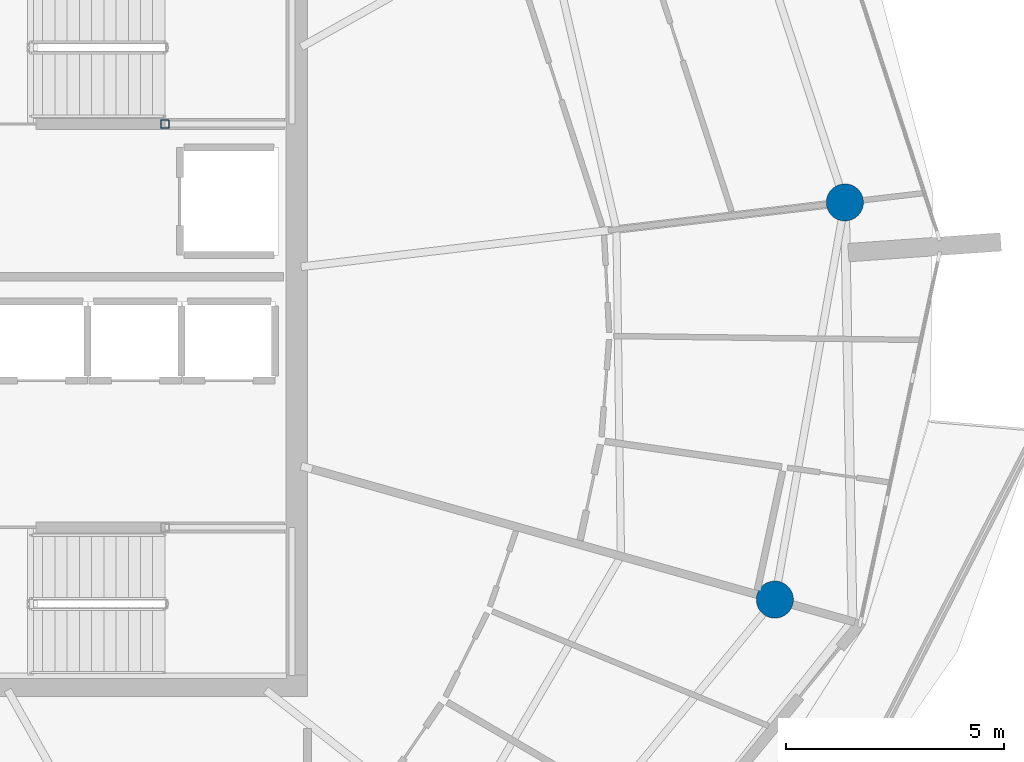
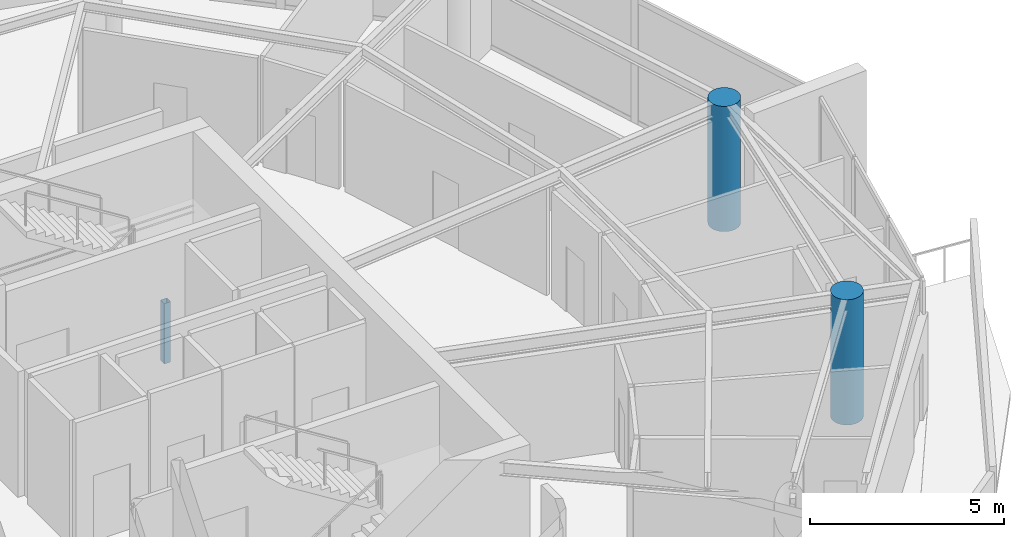
# One storey, part 3 of 22: 3 columns.
"""IFC4 building model written with IfcOpenShell, lengths in metres."""

import ifcopenshell
import ifcopenshell.guid

model = None  # the IFC model being written
_history = None  # IfcOwnerHistory: only IFC2X3 demands one
_inside = {}  # id of a spatial element -> (the spatial element, [elements in it])
_under = {}  # id of a project, library or spatial element -> (it, [spatial elements below it])
_declared = {}  # id of a project -> (the project, [libraries it declares])
_typed = {}  # id of a type object -> (the type object, [elements of that type])
_made_of = {}  # id of a material, layer set ... -> (it, [elements and type objects made of it])


def new_model(schema):
    """Start an empty IFC model of exactly this schema.

    Asked for "IFC4X3", IfcOpenShell would pick the latest addendum, in which some entities
    have other attributes; the version numbers below select the first issue.
    IFC2X3 requires an IfcOwnerHistory on every rooted entity: one is made here for all.
    """
    global model, _history
    if schema == "IFC4X3":
        model = ifcopenshell.file(schema_version=(4, 3, 0, 0))
    else:
        model = ifcopenshell.file(schema=schema)
    _inside.clear()
    _under.clear()
    _declared.clear()
    _typed.clear()
    _made_of.clear()
    _history = None
    if model.schema == "IFC2X3":
        org = make("IfcOrganization", Name="unknown")
        user = make(
            "IfcPersonAndOrganization",
            ThePerson=make("IfcPerson", FamilyName="unknown"),
            TheOrganization=org,
        )
        app = make(
            "IfcApplication",
            ApplicationDeveloper=org,
            Version="unknown",
            ApplicationFullName="unknown",
            ApplicationIdentifier="unknown",
        )
        _history = make(
            "IfcOwnerHistory",
            OwningUser=user,
            OwningApplication=app,
            ChangeAction="ADDED",
            CreationDate=0,
        )
    return model


def make(cls, **values):
    """One entity of the class cls with the attributes given. An attribute that is None is left unset."""
    return model.create_entity(
        cls, **{name: value for name, value in values.items() if value is not None}
    )


def rooted(cls, **values):
    """An entity with a GlobalId (a new one), such as an element, a storey or a relation."""
    return make(cls, GlobalId=ifcopenshell.guid.new(), OwnerHistory=_history, **values)


def si_unit(unit_type, name, prefix=None):
    """IfcSIUnit, for example si_unit("LENGTHUNIT", "METRE", prefix="MILLI")."""
    return make("IfcSIUnit", UnitType=unit_type, Prefix=prefix, Name=name)


def assignment(units):
    """IfcUnitAssignment: the units of a project."""
    return None if units is None else make("IfcUnitAssignment", Units=units)


def point(xyz):
    """IfcCartesianPoint."""
    return None if xyz is None else make("IfcCartesianPoint", Coordinates=xyz)


def direction(xyz):
    """IfcDirection."""
    return None if xyz is None else make("IfcDirection", DirectionRatios=xyz)


def frame(location, z_axis=None, x_axis=None):
    """IfcAxis2Placement3D, a coordinate frame: its origin and axes. An axis left out is left unset."""
    return make(
        "IfcAxis2Placement3D",
        Location=point(location),
        Axis=direction(z_axis),
        RefDirection=direction(x_axis),
    )


def frame_2d(location, x_axis=None):
    """IfcAxis2Placement2D, a coordinate frame in the plane: its origin and x axis."""
    return make(
        "IfcAxis2Placement2D", Location=point(location), RefDirection=direction(x_axis)
    )


def origin():
    """The frame at (0, 0, 0) with its axes left unset."""
    return frame((0.0, 0.0, 0.0))


def origin_2d():
    """The frame at (0, 0) in the plane with its x axis left unset."""
    return frame_2d((0.0, 0.0))


def place(relative_to, where):
    """IfcLocalPlacement: puts the frame where relative to a parent placement (None: the world)."""
    return make(
        "IfcLocalPlacement", PlacementRelTo=relative_to, RelativePlacement=where
    )


def context(
    kind, dimensions, precision=None, world=None, true_north=None, identifier=None
):
    """IfcGeometricRepresentationContext, for example the 3D "Model" context."""
    return make(
        "IfcGeometricRepresentationContext",
        ContextIdentifier=identifier,
        ContextType=kind,
        CoordinateSpaceDimension=dimensions,
        Precision=precision,
        WorldCoordinateSystem=world,
        TrueNorth=true_north,
    )


def subcontext(parent, identifier, kind, view, scale=None):
    """IfcGeometricRepresentationSubContext, for example "Body" below "Model"."""
    return make(
        "IfcGeometricRepresentationSubContext",
        ContextIdentifier=identifier,
        ContextType=kind,
        ParentContext=parent,
        TargetScale=scale,
        TargetView=view,
    )


def project(units=None, contexts=None):
    """IfcProject with its units and contexts."""
    return rooted(
        "IfcProject",
        Name="project",
        RepresentationContexts=contexts,
        UnitsInContext=assignment(units),
    )


def spatial(cls, under=None, at=None, **own):
    """A site, building, storey or space (cls), placed at a placement, below another one or the project."""
    s = rooted(cls, ObjectPlacement=at, **own)
    if under is not None:
        _under.setdefault(under.id(), (under, []))[1].append(s)
    return s


def profile(cls, at=None, kind="AREA", **sizes):
    """A parametric profile (cls). Its sizes go by their IFC names, for example OverallWidth=200.0."""
    return make(cls, ProfileType=kind, Position=at, **sizes)


def hollow_rectangle(**sizes):
    """IfcRectangleHollowProfileDef."""
    return profile("IfcRectangleHollowProfileDef", **sizes)


def circle(**sizes):
    """IfcCircleProfileDef."""
    return profile("IfcCircleProfileDef", **sizes)


def extrude(swept, where, along, depth):
    """IfcExtrudedAreaSolid: the profile swept, set in the frame where, extruded along a direction by depth."""
    return make(
        "IfcExtrudedAreaSolid",
        SweptArea=swept,
        Position=where,
        ExtrudedDirection=direction(along),
        Depth=depth,
    )


def shape(context_of_items, identifier, shape_type, items):
    """IfcShapeRepresentation: the items that make up one representation, for example the "Body"."""
    return make(
        "IfcShapeRepresentation",
        ContextOfItems=context_of_items,
        RepresentationIdentifier=identifier,
        RepresentationType=shape_type,
        Items=items,
    )


def material(Name=None, Category=None):
    """IfcMaterial."""
    return make("IfcMaterial", Name=Name, Category=Category)


def material_profile(
    of_material, cross_section, Name=None, Category=None, Priority=None
):
    """IfcMaterialProfile: a cross section and its material."""
    return make(
        "IfcMaterialProfile",
        Name=Name,
        Material=of_material,
        Profile=cross_section,
        Priority=Priority,
        Category=Category,
    )


def profile_set(profiles, Name=None, composite=None):
    """IfcMaterialProfileSet."""
    return make(
        "IfcMaterialProfileSet",
        Name=Name,
        MaterialProfiles=profiles,
        CompositeProfile=composite,
    )


def made_of(thing, what):
    """Note that an element or type object is made of a material, layer set ...; save() writes the relation."""
    if what is not None:
        _made_of.setdefault(what.id(), (what, []))[1].append(thing)
    return thing


def type_object(cls, material=None, **own):
    """A type object (cls), such as IfcWallType, which elements share."""
    return made_of(rooted(cls, **own), material)


def element(
    cls,
    number,
    at=None,
    inside=None,
    cuts=None,
    type_object=None,
    material=None,
    context=None,
    identifier="Body",
    shape_type=None,
    held_by="IfcProductDefinitionShape",
    body=None,
    shapes=None,
    **own,
):
    """One element of the class cls, such as IfcWall. Its Tag is "e" and its number.

    at: its placement. inside: the storey or other place that contains it. cuts: it is an
    opening in that element (IfcRelVoidsElement). A single representation is given by context,
    identifier, shape_type and body (its items); several are given by shapes. held_by: the class
    of the entity that holds the representations. save() writes the other relations.
    """
    e = rooted(cls, Tag="e%d" % number, ObjectPlacement=at, **own)
    if body is not None:
        shapes = [shape(context, identifier, shape_type, body)]
    if shapes is not None:
        e.Representation = make(held_by, Representations=shapes)
    if inside is not None:
        _inside.setdefault(inside.id(), (inside, []))[1].append(e)
    if cuts is not None:
        rooted(
            "IfcRelVoidsElement", RelatingBuildingElement=cuts, RelatedOpeningElement=e
        )
    if type_object is not None:
        _typed.setdefault(type_object.id(), (type_object, []))[1].append(e)
    return made_of(e, material)


def aggregate(whole, parts):
    """IfcRelAggregates: a whole, such as a stair, and the parts it consists of."""
    return rooted("IfcRelAggregates", RelatingObject=whole, RelatedObjects=parts)


def save(model, path):
    """Write the relations noted so far, then the file.

    IfcRelAggregates (storeys below a building ...), IfcRelContainedInSpatialStructure (elements
    in a storey), IfcRelDefinesByType, IfcRelAssociatesMaterial and IfcRelDeclares: one each for
    every whole, place, type object, material and project.
    """
    for whole, parts in _under.values():
        aggregate(whole, parts)
    for where, things in _inside.values():
        rooted(
            "IfcRelContainedInSpatialStructure",
            RelatedElements=things,
            RelatingStructure=where,
        )
    for kind, things in _typed.values():
        rooted("IfcRelDefinesByType", RelatedObjects=things, RelatingType=kind)
    for what, things in _made_of.values():
        rooted("IfcRelAssociatesMaterial", RelatedObjects=things, RelatingMaterial=what)
    for by, libraries in _declared.values():
        rooted("IfcRelDeclares", RelatingContext=by, RelatedDefinitions=libraries)
    model.write(path)


model = new_model("IFC4")

# Units and contexts
model_context = context("Model", 3, precision=1e-05, world=origin(), true_north=direction((0.0, 1.0)))
body_context = subcontext(model_context, "Body", "Model", "MODEL_VIEW")
ifc_project = project(units=[si_unit("LENGTHUNIT", "METRE"), si_unit("AREAUNIT", "SQUARE_METRE"), si_unit("VOLUMEUNIT", "CUBIC_METRE"), si_unit("PLANEANGLEUNIT", "RADIAN"), si_unit("MASSUNIT", "GRAM", prefix="KILO")], contexts=[model_context])

# Site, building, storey
site_placement = place(None, origin())
site = spatial("IfcSite", under=ifc_project, at=site_placement, CompositionType="ELEMENT")
building_placement = place(site_placement, origin())
building = spatial("IfcBuilding", under=site, at=building_placement, Name="Kazma Halo Residences", CompositionType="ELEMENT")
storey_placement = place(building_placement, frame((0.0, 0.0, 334.699951171875)))
storey = spatial("IfcBuildingStorey", under=building, at=storey_placement, Name="L84", CompositionType="ELEMENT", Elevation=334.699951171875)

# Columns
ifc_material_1 = material(Name="Steel S355", Category="steel")
ifc_material_profile_1 = material_profile(ifc_material_1, hollow_rectangle(XDim=0.199951171875, YDim=0.199951171875, WallThickness=0.010009765625, InnerFilletRadius=0.010009765625, OuterFilletRadius=0.02001953125, at=origin_2d()), Name="SHS200x200x10")
ifc_profile_set_1 = profile_set([ifc_material_profile_1], Name="Steel S355")
column_type_1 = type_object("IfcColumnType", Name="COL-LP-SHS200", PredefinedType="COLUMN", material=ifc_profile_set_1)
column_placement = place(storey_placement, frame((56.280029296875, 46.6201171875, 0.0), z_axis=(0.0, 0.0, 1.0), x_axis=(1.0, 0.0, 0.0)))
element("IfcColumn", 1, at=column_placement, inside=storey, type_object=column_type_1, Name="L84 ST-02 landing pilaster 1", PredefinedType="COLUMN", context=body_context, shape_type="SweptSolid", body=[
    extrude(hollow_rectangle(XDim=0.199951171875, YDim=0.199951171875, WallThickness=0.010009765625, InnerFilletRadius=0.010009765625, OuterFilletRadius=0.02001953125, at=origin_2d()), origin(), (0.0, 0.0, 1.0), 1.89501953125),
])
ifc_material_2 = material(Name="Concrete C60/75", Category="concrete")
ifc_material_profile_2 = material_profile(ifc_material_2, circle(Radius=0.425048828125, at=origin_2d()), Name="CIRC850")
ifc_profile_set_2 = profile_set([ifc_material_profile_2], Name="Concrete C60/75")
column_type_2 = type_object("IfcColumnType", Name="COL-PERIM-850", PredefinedType="COLUMN", material=ifc_profile_set_2)
for number, where, z_axis, x_axis, name in (
    (2, (70.255615234375, 35.723388671875, 0.0), (0.0, 0.0, 1.0), (1.0, 0.0, 0.0), "L84 perimeter ring column P15"),
    (3, (71.8603515625, 44.82421875, 0.0), (0.0, 0.0, 1.0), (1.0, 0.0, 0.0), "L84 perimeter ring column P16"),
):
    element("IfcColumn", number, at=place(storey_placement, frame(where, z_axis=z_axis, x_axis=x_axis)), inside=storey, type_object=column_type_2, Name=name, PredefinedType="COLUMN", context=body_context, shape_type="SweptSolid", body=[
        extrude(circle(Radius=0.425048828125, at=origin_2d()), origin(), (0.0, 0.0, 1.0), 3.93994140625),
    ])

save(model, "model.ifc")
